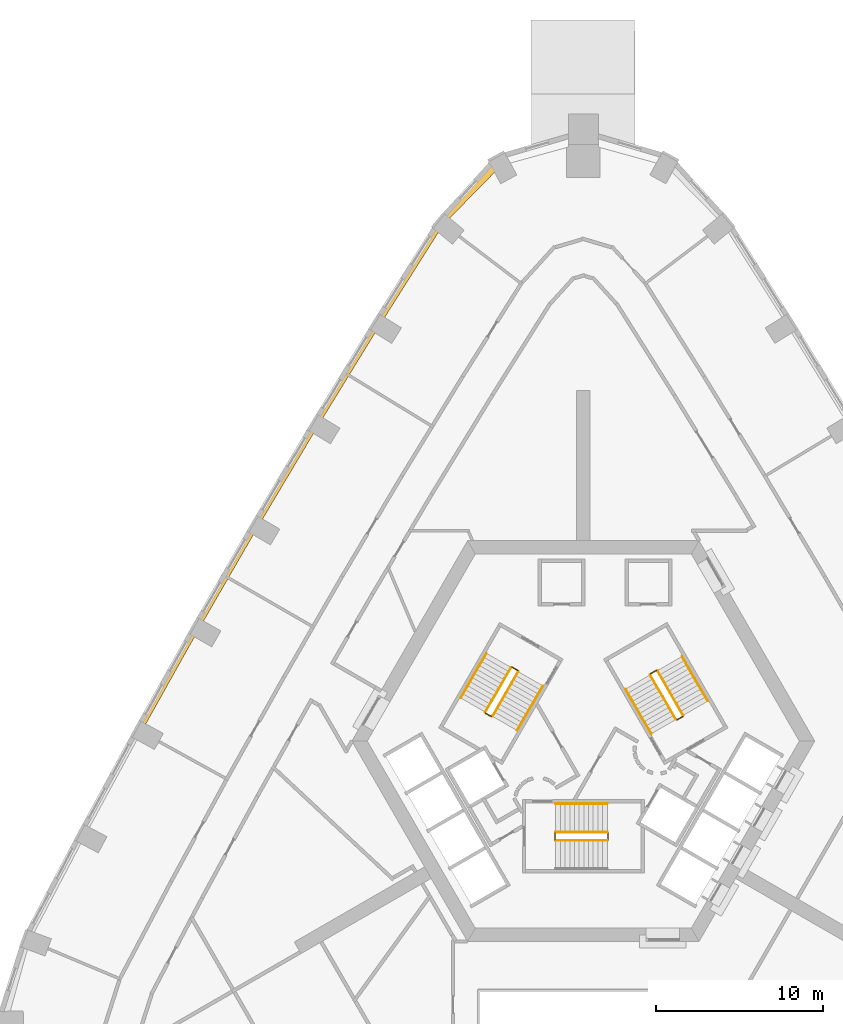
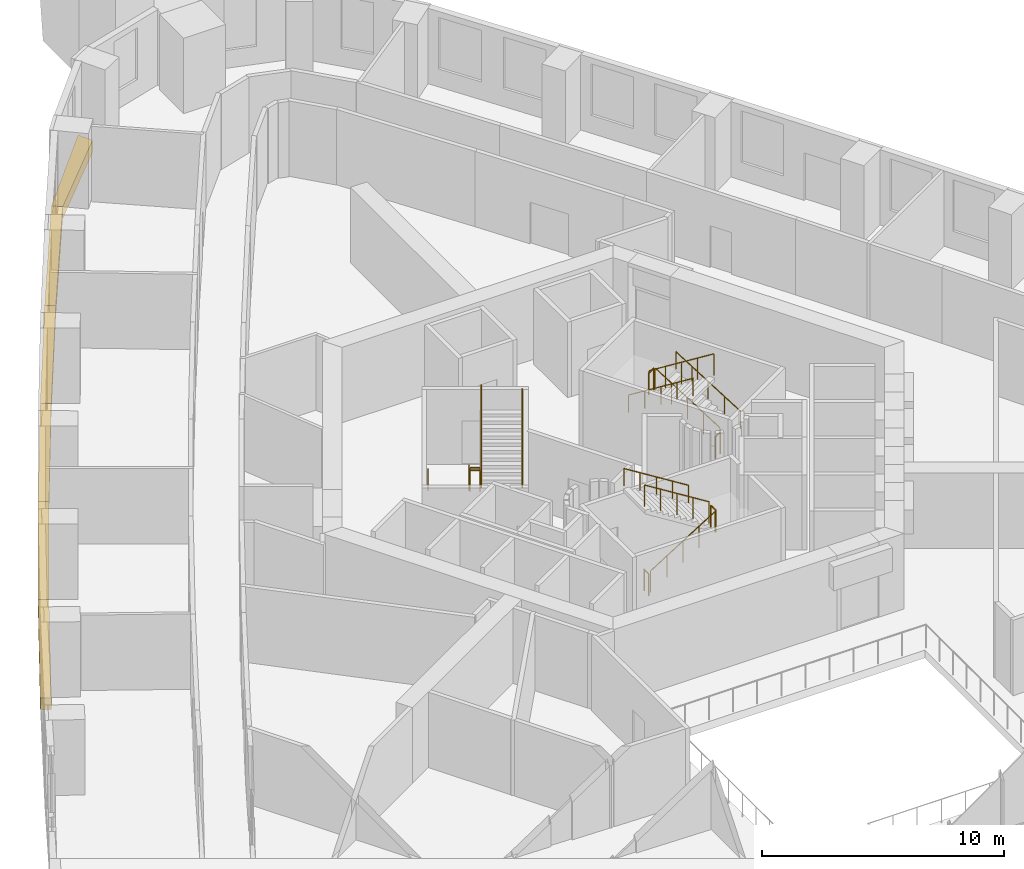
# One storey, part 13 of 14: 17 railings, 6 coverings.
"""IFC4 building model written with IfcOpenShell, lengths in metres."""

import ifcopenshell
import ifcopenshell.guid

model = None  # the IFC model being written
_history = None  # IfcOwnerHistory: only IFC2X3 demands one
_inside = {}  # id of a spatial element -> (the spatial element, [elements in it])
_under = {}  # id of a project, library or spatial element -> (it, [spatial elements below it])
_declared = {}  # id of a project -> (the project, [libraries it declares])
_typed = {}  # id of a type object -> (the type object, [elements of that type])
_made_of = {}  # id of a material, layer set ... -> (it, [elements and type objects made of it])


def new_model(schema):
    """Start an empty IFC model of exactly this schema.

    Asked for "IFC4X3", IfcOpenShell would pick the latest addendum, in which some entities
    have other attributes; the version numbers below select the first issue.
    IFC2X3 requires an IfcOwnerHistory on every rooted entity: one is made here for all.
    """
    global model, _history
    if schema == "IFC4X3":
        model = ifcopenshell.file(schema_version=(4, 3, 0, 0))
    else:
        model = ifcopenshell.file(schema=schema)
    _inside.clear()
    _under.clear()
    _declared.clear()
    _typed.clear()
    _made_of.clear()
    _history = None
    if model.schema == "IFC2X3":
        org = make("IfcOrganization", Name="unknown")
        user = make(
            "IfcPersonAndOrganization",
            ThePerson=make("IfcPerson", FamilyName="unknown"),
            TheOrganization=org,
        )
        app = make(
            "IfcApplication",
            ApplicationDeveloper=org,
            Version="unknown",
            ApplicationFullName="unknown",
            ApplicationIdentifier="unknown",
        )
        _history = make(
            "IfcOwnerHistory",
            OwningUser=user,
            OwningApplication=app,
            ChangeAction="ADDED",
            CreationDate=0,
        )
    return model


def make(cls, **values):
    """One entity of the class cls with the attributes given. An attribute that is None is left unset."""
    return model.create_entity(
        cls, **{name: value for name, value in values.items() if value is not None}
    )


def rooted(cls, **values):
    """An entity with a GlobalId (a new one), such as an element, a storey or a relation."""
    return make(cls, GlobalId=ifcopenshell.guid.new(), OwnerHistory=_history, **values)


def si_unit(unit_type, name, prefix=None):
    """IfcSIUnit, for example si_unit("LENGTHUNIT", "METRE", prefix="MILLI")."""
    return make("IfcSIUnit", UnitType=unit_type, Prefix=prefix, Name=name)


def assignment(units):
    """IfcUnitAssignment: the units of a project."""
    return None if units is None else make("IfcUnitAssignment", Units=units)


def point(xyz):
    """IfcCartesianPoint."""
    return None if xyz is None else make("IfcCartesianPoint", Coordinates=xyz)


def direction(xyz):
    """IfcDirection."""
    return None if xyz is None else make("IfcDirection", DirectionRatios=xyz)


def frame(location, z_axis=None, x_axis=None):
    """IfcAxis2Placement3D, a coordinate frame: its origin and axes. An axis left out is left unset."""
    return make(
        "IfcAxis2Placement3D",
        Location=point(location),
        Axis=direction(z_axis),
        RefDirection=direction(x_axis),
    )


def frame_2d(location, x_axis=None):
    """IfcAxis2Placement2D, a coordinate frame in the plane: its origin and x axis."""
    return make(
        "IfcAxis2Placement2D", Location=point(location), RefDirection=direction(x_axis)
    )


def origin():
    """The frame at (0, 0, 0) with its axes left unset."""
    return frame((0.0, 0.0, 0.0))


def origin_2d():
    """The frame at (0, 0) in the plane with its x axis left unset."""
    return frame_2d((0.0, 0.0))


def place(relative_to, where):
    """IfcLocalPlacement: puts the frame where relative to a parent placement (None: the world)."""
    return make(
        "IfcLocalPlacement", PlacementRelTo=relative_to, RelativePlacement=where
    )


def context(
    kind, dimensions, precision=None, world=None, true_north=None, identifier=None
):
    """IfcGeometricRepresentationContext, for example the 3D "Model" context."""
    return make(
        "IfcGeometricRepresentationContext",
        ContextIdentifier=identifier,
        ContextType=kind,
        CoordinateSpaceDimension=dimensions,
        Precision=precision,
        WorldCoordinateSystem=world,
        TrueNorth=true_north,
    )


def subcontext(parent, identifier, kind, view, scale=None):
    """IfcGeometricRepresentationSubContext, for example "Body" below "Model"."""
    return make(
        "IfcGeometricRepresentationSubContext",
        ContextIdentifier=identifier,
        ContextType=kind,
        ParentContext=parent,
        TargetScale=scale,
        TargetView=view,
    )


def project(units=None, contexts=None):
    """IfcProject with its units and contexts."""
    return rooted(
        "IfcProject",
        Name="project",
        RepresentationContexts=contexts,
        UnitsInContext=assignment(units),
    )


def spatial(cls, under=None, at=None, **own):
    """A site, building, storey or space (cls), placed at a placement, below another one or the project."""
    s = rooted(cls, ObjectPlacement=at, **own)
    if under is not None:
        _under.setdefault(under.id(), (under, []))[1].append(s)
    return s


def polyline(points):
    """IfcPolyline through the points."""
    return make("IfcPolyline", Points=[point(p) for p in points])


def profile(cls, at=None, kind="AREA", **sizes):
    """A parametric profile (cls). Its sizes go by their IFC names, for example OverallWidth=200.0."""
    return make(cls, ProfileType=kind, Position=at, **sizes)


def circle(**sizes):
    """IfcCircleProfileDef."""
    return profile("IfcCircleProfileDef", **sizes)


def outline(outer, holes=None, kind="AREA"):
    """IfcArbitraryClosedProfileDef: a profile drawn as a closed curve; with holes, ...WithVoids."""
    if holes is None:
        return make("IfcArbitraryClosedProfileDef", ProfileType=kind, OuterCurve=outer)
    return make(
        "IfcArbitraryProfileDefWithVoids",
        ProfileType=kind,
        OuterCurve=outer,
        InnerCurves=holes,
    )


def extrude(swept, where, along, depth):
    """IfcExtrudedAreaSolid: the profile swept, set in the frame where, extruded along a direction by depth."""
    return make(
        "IfcExtrudedAreaSolid",
        SweptArea=swept,
        Position=where,
        ExtrudedDirection=direction(along),
        Depth=depth,
    )


def shape(context_of_items, identifier, shape_type, items):
    """IfcShapeRepresentation: the items that make up one representation, for example the "Body"."""
    return make(
        "IfcShapeRepresentation",
        ContextOfItems=context_of_items,
        RepresentationIdentifier=identifier,
        RepresentationType=shape_type,
        Items=items,
    )


def material(Name=None, Category=None):
    """IfcMaterial."""
    return make("IfcMaterial", Name=Name, Category=Category)


def made_of(thing, what):
    """Note that an element or type object is made of a material, layer set ...; save() writes the relation."""
    if what is not None:
        _made_of.setdefault(what.id(), (what, []))[1].append(thing)
    return thing


def type_object(cls, material=None, **own):
    """A type object (cls), such as IfcWallType, which elements share."""
    return made_of(rooted(cls, **own), material)


def element(
    cls,
    number,
    at=None,
    inside=None,
    cuts=None,
    type_object=None,
    material=None,
    context=None,
    identifier="Body",
    shape_type=None,
    held_by="IfcProductDefinitionShape",
    body=None,
    shapes=None,
    **own,
):
    """One element of the class cls, such as IfcWall. Its Tag is "e" and its number.

    at: its placement. inside: the storey or other place that contains it. cuts: it is an
    opening in that element (IfcRelVoidsElement). A single representation is given by context,
    identifier, shape_type and body (its items); several are given by shapes. held_by: the class
    of the entity that holds the representations. save() writes the other relations.
    """
    e = rooted(cls, Tag="e%d" % number, ObjectPlacement=at, **own)
    if body is not None:
        shapes = [shape(context, identifier, shape_type, body)]
    if shapes is not None:
        e.Representation = make(held_by, Representations=shapes)
    if inside is not None:
        _inside.setdefault(inside.id(), (inside, []))[1].append(e)
    if cuts is not None:
        rooted(
            "IfcRelVoidsElement", RelatingBuildingElement=cuts, RelatedOpeningElement=e
        )
    if type_object is not None:
        _typed.setdefault(type_object.id(), (type_object, []))[1].append(e)
    return made_of(e, material)


def aggregate(whole, parts):
    """IfcRelAggregates: a whole, such as a stair, and the parts it consists of."""
    return rooted("IfcRelAggregates", RelatingObject=whole, RelatedObjects=parts)


def save(model, path):
    """Write the relations noted so far, then the file.

    IfcRelAggregates (storeys below a building ...), IfcRelContainedInSpatialStructure (elements
    in a storey), IfcRelDefinesByType, IfcRelAssociatesMaterial and IfcRelDeclares: one each for
    every whole, place, type object, material and project.
    """
    for whole, parts in _under.values():
        aggregate(whole, parts)
    for where, things in _inside.values():
        rooted(
            "IfcRelContainedInSpatialStructure",
            RelatedElements=things,
            RelatingStructure=where,
        )
    for kind, things in _typed.values():
        rooted("IfcRelDefinesByType", RelatedObjects=things, RelatingType=kind)
    for what, things in _made_of.values():
        rooted("IfcRelAssociatesMaterial", RelatedObjects=things, RelatingMaterial=what)
    for by, libraries in _declared.values():
        rooted("IfcRelDeclares", RelatingContext=by, RelatedDefinitions=libraries)
    model.write(path)


model = new_model("IFC4")

# Units and contexts
model_context = context("Model", 3, precision=1e-05, world=origin(), true_north=direction((0.0, 1.0)))
body_context = subcontext(model_context, "Body", "Model", "MODEL_VIEW")
ifc_project = project(units=[si_unit("LENGTHUNIT", "METRE"), si_unit("AREAUNIT", "SQUARE_METRE"), si_unit("VOLUMEUNIT", "CUBIC_METRE"), si_unit("PLANEANGLEUNIT", "RADIAN"), si_unit("MASSUNIT", "GRAM", prefix="KILO")], contexts=[model_context])

# Site, building, storey
site_placement = place(None, origin())
site = spatial("IfcSite", under=ifc_project, at=site_placement, CompositionType="ELEMENT")
building_placement = place(site_placement, origin())
building = spatial("IfcBuilding", under=site, at=building_placement, Name="Entoto Arch Interchange Tower", CompositionType="ELEMENT")
storey_placement = place(building_placement, frame((0.0, 0.0, 163.39990234375)))
storey = spatial("IfcBuildingStorey", under=building, at=storey_placement, Name="L36", CompositionType="ELEMENT", Elevation=163.39990234375)

# Coverings
ifc_material_1 = material(Name="Board-marked precast concrete C50/60", Category="concrete")
covering_type = type_object("IfcCoveringType", Name="PRECAST LEDGE COURSE", PredefinedType="CLADDING", material=ifc_material_1)
covering_1_placement = place(storey_placement, frame((0.0, 0.0, -1.0)))
element("IfcCovering", 1, at=covering_1_placement, inside=storey, type_object=covering_type, Name="Precast course N-04 L36", PredefinedType="CLADDING", context=body_context, shape_type="SweptSolid", body=[
    extrude(outline(polyline([(-8.386962890625, 33.419921875), (-8.7529296875, 33.72412109375), (-5.2529296875, 37.580078125), (-4.9140625, 36.958984375), (-8.386962890625, 33.419921875)])), origin(), (0.0, 0.0, 1.0), 0.60009765625),
])
covering_2_placement = place(storey_placement, frame((0.0, 0.0, -1.0)))
element("IfcCovering", 2, at=covering_2_placement, inside=storey, type_object=covering_type, Name="Precast course NW-01 L36", PredefinedType="CLADDING", context=body_context, shape_type="SweptSolid", body=[
    extrude(outline(polyline([(-12.18798828125, 27.405029296875), (-12.577880859375, 27.64892578125), (-8.7529296875, 33.72412109375), (-8.386962890625, 33.419921875), (-12.18798828125, 27.405029296875)])), origin(), (0.0, 0.0, 1.0), 0.60009765625),
])
covering_3_placement = place(storey_placement, frame((0.0, 0.0, -1.0)))
element("IfcCovering", 3, at=covering_3_placement, inside=storey, type_object=covering_type, Name="Precast course NW-02 L36", PredefinedType="CLADDING", context=body_context, shape_type="SweptSolid", body=[
    extrude(outline(polyline([(-15.876953125, 21.388916015625), (-16.26611328125, 21.6240234375), (-12.577880859375, 27.64892578125), (-12.18798828125, 27.405029296875), (-15.876953125, 21.388916015625)])), origin(), (0.0, 0.0, 1.0), 0.60009765625),
])
covering_4_placement = place(storey_placement, frame((0.0, 0.0, -1.0)))
element("IfcCovering", 4, at=covering_4_placement, inside=storey, type_object=covering_type, Name="Precast course NW-03 L36", PredefinedType="CLADDING", context=body_context, shape_type="SweptSolid", body=[
    extrude(outline(polyline([(-19.486083984375, 15.324951171875), (-19.875, 15.552978515625), (-16.26611328125, 21.6240234375), (-15.876953125, 21.388916015625), (-19.486083984375, 15.324951171875)])), origin(), (0.0, 0.0, 1.0), 0.60009765625),
])
covering_5_placement = place(storey_placement, frame((0.0, 0.0, -1.0)))
element("IfcCovering", 5, at=covering_5_placement, inside=storey, type_object=covering_type, Name="Precast course NW-04 L36", PredefinedType="CLADDING", context=body_context, shape_type="SweptSolid", body=[
    extrude(outline(polyline([(-23.014892578125, 9.214111328125), (-23.406005859375, 9.43603515625), (-19.875, 15.552978515625), (-19.486083984375, 15.324951171875), (-23.014892578125, 9.214111328125)])), origin(), (0.0, 0.0, 1.0), 0.60009765625),
])
covering_6_placement = place(storey_placement, frame((0.0, 0.0, -1.0)))
element("IfcCovering", 6, at=covering_6_placement, inside=storey, type_object=covering_type, Name="Precast course NW-05 L36", PredefinedType="CLADDING", context=body_context, shape_type="SweptSolid", body=[
    extrude(outline(polyline([(-26.4619140625, 3.055908203125), (-26.860107421875, 3.27490234375), (-23.406005859375, 9.43603515625), (-23.014892578125, 9.214111328125), (-26.4619140625, 3.055908203125)])), origin(), (0.0, 0.0, 1.0), 0.60009765625),
])

# Railings
ifc_material_2 = material(Name="Stainless steel 1.4301", Category="steel")
railing_type_1 = type_object("IfcRailingType", Name="STAIR GUARD 1100 STEEL", PredefinedType="GUARDRAIL", material=ifc_material_2)
railing_1_placement = place(storey_placement, frame((-1.64990234375, -3.449951171875, 0.175048828125)))
element("IfcRailing", 7, at=railing_1_placement, inside=storey, type_object=railing_type_1, Name="L36 ST-S stair guard 1", PredefinedType="GUARDRAIL", context=body_context, shape_type="SweptSolid", body=[
    extrude(circle(Radius=0.02392578125, at=origin_2d()), frame((0.0, 0.0, 1.076171875), z_axis=(0.847979421464, 0.0, 0.530029150871), x_axis=(0.0, 1.0, 0.0)), (0.0, 0.0, 1.0), 3.632080078125),
    extrude(circle(Radius=0.02099609375, at=origin_2d()), origin(), (0.0, 0.0, 1.0), 1.052001953125),
    extrude(circle(Radius=0.02099609375, at=origin_2d()), frame((0.77001953125, 0.0, 0.481201171875)), (0.0, 0.0, 1.0), 1.052001953125),
    extrude(circle(Radius=0.02099609375, at=origin_2d()), frame((1.5400390625, 0.0, 0.96240234375)), (0.0, 0.0, 1.0), 1.052001953125),
    extrude(circle(Radius=0.02099609375, at=origin_2d()), frame((2.309814453125, 0.0, 1.44384765625)), (0.0, 0.0, 1.0), 1.052001953125),
    extrude(circle(Radius=0.02099609375, at=origin_2d()), frame((3.079833984375, 0.0, 1.925048828125)), (0.0, 0.0, 1.0), 1.052001953125),
])
railing_2_placement = place(storey_placement, frame((1.47998046875, -3.39990234375, 2.10009765625)))
element("IfcRailing", 8, at=railing_2_placement, inside=storey, type_object=railing_type_1, Name="L36 ST-S stair guard 2", PredefinedType="GUARDRAIL", context=body_context, shape_type="SweptSolid", body=[
    extrude(circle(Radius=0.02392578125, at=origin_2d()), frame((0.0, 0.0, 1.076171875), z_axis=(0.0, 1.0, 0.0), x_axis=(-1.0, 0.0, 0.0)), (0.0, 0.0, 1.0), 0.39990234375),
    extrude(circle(Radius=0.02099609375, at=origin_2d()), origin(), (0.0, 0.0, 1.0), 1.052001953125),
    extrude(circle(Radius=0.02099609375, at=origin_2d()), frame((0.0, 0.39990234375, 0.0)), (0.0, 0.0, 1.0), 1.052001953125),
])
railing_3_placement = place(storey_placement, frame((1.429931640625, -2.949951171875, 2.275146484375)))
element("IfcRailing", 9, at=railing_3_placement, inside=storey, type_object=railing_type_1, Name="L36 ST-S stair guard 3", PredefinedType="GUARDRAIL", context=body_context, shape_type="SweptSolid", body=[
    extrude(circle(Radius=0.02392578125, at=origin_2d()), frame((0.0, 0.0, 1.076171875), z_axis=(-0.847979421464, 0.0, 0.530029150871), x_axis=(0.0, -1.0, 0.0)), (0.0, 0.0, 1.0), 3.632080078125),
    extrude(circle(Radius=0.02099609375, at=origin_2d()), origin(), (0.0, 0.0, 1.0), 1.052001953125),
    extrude(circle(Radius=0.02099609375, at=origin_2d()), frame((-0.77001953125, 0.0, 0.481201171875)), (0.0, 0.0, 1.0), 1.052001953125),
    extrude(circle(Radius=0.02099609375, at=origin_2d()), frame((-1.5400390625, 0.0, 0.96240234375)), (0.0, 0.0, 1.0), 1.052001953125),
    extrude(circle(Radius=0.02099609375, at=origin_2d()), frame((-2.309814453125, 0.0, 1.44384765625)), (0.0, 0.0, 1.0), 1.052001953125),
    extrude(circle(Radius=0.02099609375, at=origin_2d()), frame((-3.079833984375, 0.0, 1.925048828125)), (0.0, 0.0, 1.0), 1.052001953125),
])
railing_4_placement = place(storey_placement, frame((-1.699951171875, -3.39990234375, 0.0)))
element("IfcRailing", 10, at=railing_4_placement, inside=storey, type_object=railing_type_1, Name="L36 ST-S stair guard 4", PredefinedType="GUARDRAIL", context=body_context, shape_type="SweptSolid", body=[
    extrude(circle(Radius=0.02392578125, at=origin_2d()), frame((0.0, 0.0, 1.076171875), z_axis=(0.0, 1.0, 0.0), x_axis=(-1.0, 0.0, 0.0)), (0.0, 0.0, 1.0), 0.39990234375),
    extrude(circle(Radius=0.02099609375, at=origin_2d()), origin(), (0.0, 0.0, 1.0), 1.052001953125),
    extrude(circle(Radius=0.02099609375, at=origin_2d()), frame((0.0, 0.39990234375, 0.0)), (0.0, 0.0, 1.0), 1.052001953125),
])
railing_5_placement = place(storey_placement, frame((5.977783203125, 4.046142578125, 0.175048828125)))
element("IfcRailing", 11, at=railing_5_placement, inside=storey, type_object=railing_type_1, Name="L36 ST-NE stair guard 1", PredefinedType="GUARDRAIL", context=body_context, shape_type="SweptSolid", body=[
    extrude(circle(Radius=0.02392578125, at=origin_2d()), frame((0.0, 0.0, 1.076171875), z_axis=(-0.424015404183, 0.734364028329, 0.530019255228), x_axis=(-0.866010015463, -0.500026652407, 0.0)), (0.0, 0.0, 1.0), 3.632080078125),
    extrude(circle(Radius=0.02099609375, at=origin_2d()), origin(), (0.0, 0.0, 1.0), 1.052001953125),
    extrude(circle(Radius=0.02099609375, at=origin_2d()), frame((-0.385009765625, 0.666748046875, 0.481201171875)), (0.0, 0.0, 1.0), 1.052001953125),
    extrude(circle(Radius=0.02099609375, at=origin_2d()), frame((-0.77001953125, 1.33349609375, 0.96240234375)), (0.0, 0.0, 1.0), 1.052001953125),
    extrude(circle(Radius=0.02099609375, at=origin_2d()), frame((-1.155029296875, 2.00048828125, 1.44384765625)), (0.0, 0.0, 1.0), 1.052001953125),
    extrude(circle(Radius=0.02099609375, at=origin_2d()), frame((-1.5400390625, 2.667236328125, 1.925048828125)), (0.0, 0.0, 1.0), 1.052001953125),
])
railing_6_placement = place(storey_placement, frame((4.36962890625, 6.731689453125, 2.10009765625)))
element("IfcRailing", 12, at=railing_6_placement, inside=storey, type_object=railing_type_1, Name="L36 ST-NE stair guard 2", PredefinedType="GUARDRAIL", context=body_context, shape_type="SweptSolid", body=[
    extrude(circle(Radius=0.02392578125, at=origin_2d()), frame((0.0, 0.0, 1.076171875), z_axis=(-0.866094119867, -0.499880961361, 0.0), x_axis=(0.499880961361, -0.866094119867, 0.0)), (0.0, 0.0, 1.0), 0.39990234375),
    extrude(circle(Radius=0.02099609375, at=origin_2d()), origin(), (0.0, 0.0, 1.0), 1.052001953125),
    extrude(circle(Radius=0.02099609375, at=origin_2d()), frame((-0.346435546875, -0.199951171875, 0.0)), (0.0, 0.0, 1.0), 1.052001953125),
])
railing_7_placement = place(storey_placement, frame((4.0048828125, 6.46337890625, 2.275146484375)))
element("IfcRailing", 13, at=railing_7_placement, inside=storey, type_object=railing_type_1, Name="L36 ST-NE stair guard 3", PredefinedType="GUARDRAIL", context=body_context, shape_type="SweptSolid", body=[
    extrude(circle(Radius=0.02392578125, at=origin_2d()), frame((0.0, 0.0, 1.076171875), z_axis=(0.424015404183, -0.734364028329, 0.530019255228), x_axis=(0.866010015463, 0.500026652407, 0.0)), (0.0, 0.0, 1.0), 3.632080078125),
    extrude(circle(Radius=0.02099609375, at=origin_2d()), origin(), (0.0, 0.0, 1.0), 1.052001953125),
    extrude(circle(Radius=0.02099609375, at=origin_2d()), frame((0.385009765625, -0.666748046875, 0.481201171875)), (0.0, 0.0, 1.0), 1.052001953125),
    extrude(circle(Radius=0.02099609375, at=origin_2d()), frame((0.77001953125, -1.33349609375, 0.96240234375)), (0.0, 0.0, 1.0), 1.052001953125),
    extrude(circle(Radius=0.02099609375, at=origin_2d()), frame((1.155029296875, -2.00048828125, 1.44384765625)), (0.0, 0.0, 1.0), 1.052001953125),
    extrude(circle(Radius=0.02099609375, at=origin_2d()), frame((1.5400390625, -2.667236328125, 1.925048828125)), (0.0, 0.0, 1.0), 1.052001953125),
])
railing_8_placement = place(storey_placement, frame((5.95947265625, 3.977783203125, 0.0)))
element("IfcRailing", 14, at=railing_8_placement, inside=storey, type_object=railing_type_1, Name="L36 ST-NE stair guard 4", PredefinedType="GUARDRAIL", context=body_context, shape_type="SweptSolid", body=[
    extrude(circle(Radius=0.02392578125, at=origin_2d()), frame((0.0, 0.0, 1.076171875), z_axis=(-0.866094119867, -0.499880961361, 0.0), x_axis=(0.499880961361, -0.866094119867, 0.0)), (0.0, 0.0, 1.0), 0.39990234375),
    extrude(circle(Radius=0.02099609375, at=origin_2d()), origin(), (0.0, 0.0, 1.0), 1.052001953125),
    extrude(circle(Radius=0.02099609375, at=origin_2d()), frame((-0.346435546875, -0.199951171875, 0.0)), (0.0, 0.0, 1.0), 1.052001953125),
])
railing_9_placement = place(storey_placement, frame((-4.327880859375, 6.904052734375, 0.175048828125)))
element("IfcRailing", 15, at=railing_9_placement, inside=storey, type_object=railing_type_1, Name="L36 ST-NW stair guard 1", PredefinedType="GUARDRAIL", context=body_context, shape_type="SweptSolid", body=[
    extrude(circle(Radius=0.02392578125, at=origin_2d()), frame((0.0, 0.0, 1.076171875), z_axis=(-0.423994474112, -0.734394994316, 0.52999309264), x_axis=(0.866029832698, -0.499992328818, 0.0)), (0.0, 0.0, 1.0), 3.63232421875),
    extrude(circle(Radius=0.02099609375, at=origin_2d()), origin(), (0.0, 0.0, 1.0), 1.052001953125),
    extrude(circle(Radius=0.02099609375, at=origin_2d()), frame((-0.385009765625, -0.6669921875, 0.481201171875)), (0.0, 0.0, 1.0), 1.052001953125),
    extrude(circle(Radius=0.02099609375, at=origin_2d()), frame((-0.77001953125, -1.333740234375, 0.96240234375)), (0.0, 0.0, 1.0), 1.052001953125),
    extrude(circle(Radius=0.02099609375, at=origin_2d()), frame((-1.155029296875, -2.00048828125, 1.44384765625)), (0.0, 0.0, 1.0), 1.052001953125),
    extrude(circle(Radius=0.02099609375, at=origin_2d()), frame((-1.5400390625, -2.66748046875, 1.925048828125)), (0.0, 0.0, 1.0), 1.052001953125),
])
railing_10_placement = place(storey_placement, frame((-5.849609375, 4.168212890625, 2.10009765625)))
element("IfcRailing", 16, at=railing_10_placement, inside=storey, type_object=railing_type_1, Name="L36 ST-NW stair guard 2", PredefinedType="GUARDRAIL", context=body_context, shape_type="SweptSolid", body=[
    extrude(circle(Radius=0.02392578125, at=origin_2d()), frame((0.0, 0.0, 1.076171875), z_axis=(0.866094119867, -0.499880961361, 0.0), x_axis=(0.499880961361, 0.866094119867, 0.0)), (0.0, 0.0, 1.0), 0.39990234375),
    extrude(circle(Radius=0.02099609375, at=origin_2d()), origin(), (0.0, 0.0, 1.0), 1.052001953125),
    extrude(circle(Radius=0.02099609375, at=origin_2d()), frame((0.346435546875, -0.199951171875, 0.0)), (0.0, 0.0, 1.0), 1.052001953125),
])
railing_11_placement = place(storey_placement, frame((-5.434814453125, 3.986572265625, 2.275146484375)))
element("IfcRailing", 17, at=railing_11_placement, inside=storey, type_object=railing_type_1, Name="L36 ST-NW stair guard 3", PredefinedType="GUARDRAIL", context=body_context, shape_type="SweptSolid", body=[
    extrude(circle(Radius=0.02392578125, at=origin_2d()), frame((0.0, 0.0, 1.076171875), z_axis=(0.423994474112, 0.734394994316, 0.52999309264), x_axis=(-0.866029832698, 0.499992328818, 0.0)), (0.0, 0.0, 1.0), 3.63232421875),
    extrude(circle(Radius=0.02099609375, at=origin_2d()), origin(), (0.0, 0.0, 1.0), 1.052001953125),
    extrude(circle(Radius=0.02099609375, at=origin_2d()), frame((0.385009765625, 0.6669921875, 0.481201171875)), (0.0, 0.0, 1.0), 1.052001953125),
    extrude(circle(Radius=0.02099609375, at=origin_2d()), frame((0.77001953125, 1.333740234375, 0.96240234375)), (0.0, 0.0, 1.0), 1.052001953125),
    extrude(circle(Radius=0.02099609375, at=origin_2d()), frame((1.155029296875, 2.00048828125, 1.44384765625)), (0.0, 0.0, 1.0), 1.052001953125),
    extrude(circle(Radius=0.02099609375, at=origin_2d()), frame((1.5400390625, 2.66748046875, 1.925048828125)), (0.0, 0.0, 1.0), 1.052001953125),
])
railing_12_placement = place(storey_placement, frame((-4.259521484375, 6.92236328125, 0.0)))
element("IfcRailing", 18, at=railing_12_placement, inside=storey, type_object=railing_type_1, Name="L36 ST-NW stair guard 4", PredefinedType="GUARDRAIL", context=body_context, shape_type="SweptSolid", body=[
    extrude(circle(Radius=0.02392578125, at=origin_2d()), frame((0.0, 0.0, 1.076171875), z_axis=(0.865829829939, -0.500338590944, 0.0), x_axis=(0.500338590944, 0.865829829939, 0.0)), (0.0, 0.0, 1.0), 0.400146484375),
    extrude(circle(Radius=0.02099609375, at=origin_2d()), origin(), (0.0, 0.0, 1.0), 1.052001953125),
    extrude(circle(Radius=0.02099609375, at=origin_2d()), frame((0.346435546875, -0.2001953125, 0.0)), (0.0, 0.0, 1.0), 1.052001953125),
])
railing_type_2 = type_object("IfcRailingType", Name="STAIR HANDRAIL 900 STEEL", PredefinedType="HANDRAIL", material=ifc_material_2)
railing_13_placement = place(storey_placement, frame((1.429931640625, -1.25, 2.275146484375)))
element("IfcRailing", 19, at=railing_13_placement, inside=storey, type_object=railing_type_2, Name="L36 ST-S stair handrail 2", PredefinedType="HANDRAIL", context=body_context, shape_type="SweptSolid", body=[
    extrude(circle(Radius=0.02392578125, at=origin_2d()), frame((0.0, 0.0, 0.8759765625), z_axis=(-0.847979421464, 0.0, 0.530029150871), x_axis=(0.0, -1.0, 0.0)), (0.0, 0.0, 1.0), 3.632080078125),
    extrude(circle(Radius=0.02099609375, at=origin_2d()), origin(), (0.0, 0.0, 1.0), 0.851806640625),
    extrude(circle(Radius=0.02099609375, at=origin_2d()), frame((-0.77001953125, 0.0, 0.481201171875)), (0.0, 0.0, 1.0), 0.851806640625),
    extrude(circle(Radius=0.02099609375, at=origin_2d()), frame((-1.5400390625, 0.0, 0.96240234375)), (0.0, 0.0, 1.0), 0.851806640625),
    extrude(circle(Radius=0.02099609375, at=origin_2d()), frame((-2.309814453125, 0.0, 1.44384765625)), (0.0, 0.0, 1.0), 0.851806640625),
    extrude(circle(Radius=0.02099609375, at=origin_2d()), frame((-3.079833984375, 0.0, 1.925048828125)), (0.0, 0.0, 1.0), 0.851806640625),
])
railing_14_placement = place(storey_placement, frame((7.4501953125, 4.89599609375, 0.175048828125)))
element("IfcRailing", 20, at=railing_14_placement, inside=storey, type_object=railing_type_2, Name="L36 ST-NE stair handrail 1", PredefinedType="HANDRAIL", context=body_context, shape_type="SweptSolid", body=[
    extrude(circle(Radius=0.02392578125, at=origin_2d()), frame((0.0, 0.0, 0.8759765625), z_axis=(-0.423994474112, 0.734394994316, 0.52999309264), x_axis=(-0.866029832698, -0.499992328818, 0.0)), (0.0, 0.0, 1.0), 3.63232421875),
    extrude(circle(Radius=0.02099609375, at=origin_2d()), origin(), (0.0, 0.0, 1.0), 0.851806640625),
    extrude(circle(Radius=0.02099609375, at=origin_2d()), frame((-0.385009765625, 0.6669921875, 0.481201171875)), (0.0, 0.0, 1.0), 0.851806640625),
    extrude(circle(Radius=0.02099609375, at=origin_2d()), frame((-0.77001953125, 1.333740234375, 0.96240234375)), (0.0, 0.0, 1.0), 0.851806640625),
    extrude(circle(Radius=0.02099609375, at=origin_2d()), frame((-1.155029296875, 2.00048828125, 1.44384765625)), (0.0, 0.0, 1.0), 0.851806640625),
    extrude(circle(Radius=0.02099609375, at=origin_2d()), frame((-1.5400390625, 2.66748046875, 1.925048828125)), (0.0, 0.0, 1.0), 0.851806640625),
])
railing_15_placement = place(storey_placement, frame((2.53271484375, 5.613525390625, 2.275146484375)))
element("IfcRailing", 21, at=railing_15_placement, inside=storey, type_object=railing_type_2, Name="L36 ST-NE stair handrail 2", PredefinedType="HANDRAIL", context=body_context, shape_type="SweptSolid", body=[
    extrude(circle(Radius=0.02392578125, at=origin_2d()), frame((0.0, 0.0, 0.8759765625), z_axis=(0.423939339791, -0.734415923031, 0.53000819633), x_axis=(0.866064153644, 0.499932877268, 0.0)), (0.0, 0.0, 1.0), 3.632080078125),
    extrude(circle(Radius=0.02099609375, at=origin_2d()), origin(), (0.0, 0.0, 1.0), 0.851806640625),
    extrude(circle(Radius=0.02099609375, at=origin_2d()), frame((0.385009765625, -0.6669921875, 0.481201171875)), (0.0, 0.0, 1.0), 0.851806640625),
    extrude(circle(Radius=0.02099609375, at=origin_2d()), frame((0.77001953125, -1.333740234375, 0.96240234375)), (0.0, 0.0, 1.0), 0.851806640625),
    extrude(circle(Radius=0.02099609375, at=origin_2d()), frame((1.15478515625, -2.00048828125, 1.44384765625)), (0.0, 0.0, 1.0), 0.851806640625),
    extrude(circle(Radius=0.02099609375, at=origin_2d()), frame((1.539794921875, -2.66748046875, 1.925048828125)), (0.0, 0.0, 1.0), 0.851806640625),
])
railing_16_placement = place(storey_placement, frame((-5.800048828125, 7.75390625, 0.175048828125)))
element("IfcRailing", 22, at=railing_16_placement, inside=storey, type_object=railing_type_2, Name="L36 ST-NW stair handrail 1", PredefinedType="HANDRAIL", context=body_context, shape_type="SweptSolid", body=[
    extrude(circle(Radius=0.02392578125, at=origin_2d()), frame((0.0, 0.0, 0.8759765625), z_axis=(-0.424015404183, -0.734364028329, 0.530019255228), x_axis=(0.866010015463, -0.500026652407, 0.0)), (0.0, 0.0, 1.0), 3.632080078125),
    extrude(circle(Radius=0.02099609375, at=origin_2d()), origin(), (0.0, 0.0, 1.0), 0.851806640625),
    extrude(circle(Radius=0.02099609375, at=origin_2d()), frame((-0.385009765625, -0.666748046875, 0.481201171875)), (0.0, 0.0, 1.0), 0.851806640625),
    extrude(circle(Radius=0.02099609375, at=origin_2d()), frame((-0.77001953125, -1.33349609375, 0.96240234375)), (0.0, 0.0, 1.0), 0.851806640625),
    extrude(circle(Radius=0.02099609375, at=origin_2d()), frame((-1.155029296875, -2.00048828125, 1.44384765625)), (0.0, 0.0, 1.0), 0.851806640625),
    extrude(circle(Radius=0.02099609375, at=origin_2d()), frame((-1.5400390625, -2.667236328125, 1.925048828125)), (0.0, 0.0, 1.0), 0.851806640625),
])
railing_17_placement = place(storey_placement, frame((-3.962646484375, 3.136474609375, 2.275146484375)))
element("IfcRailing", 23, at=railing_17_placement, inside=storey, type_object=railing_type_2, Name="L36 ST-NW stair handrail 2", PredefinedType="HANDRAIL", context=body_context, shape_type="SweptSolid", body=[
    extrude(circle(Radius=0.02392578125, at=origin_2d()), frame((0.0, 0.0, 0.8759765625), z_axis=(0.423994474112, 0.734394994316, 0.52999309264), x_axis=(-0.866029832698, 0.499992328818, 0.0)), (0.0, 0.0, 1.0), 3.63232421875),
    extrude(circle(Radius=0.02099609375, at=origin_2d()), origin(), (0.0, 0.0, 1.0), 0.851806640625),
    extrude(circle(Radius=0.02099609375, at=origin_2d()), frame((0.385009765625, 0.6669921875, 0.481201171875)), (0.0, 0.0, 1.0), 0.851806640625),
    extrude(circle(Radius=0.02099609375, at=origin_2d()), frame((0.77001953125, 1.333740234375, 0.96240234375)), (0.0, 0.0, 1.0), 0.851806640625),
    extrude(circle(Radius=0.02099609375, at=origin_2d()), frame((1.155029296875, 2.00048828125, 1.44384765625)), (0.0, 0.0, 1.0), 0.851806640625),
    extrude(circle(Radius=0.02099609375, at=origin_2d()), frame((1.5400390625, 2.66748046875, 1.925048828125)), (0.0, 0.0, 1.0), 0.851806640625),
])

save(model, "model.ifc")
